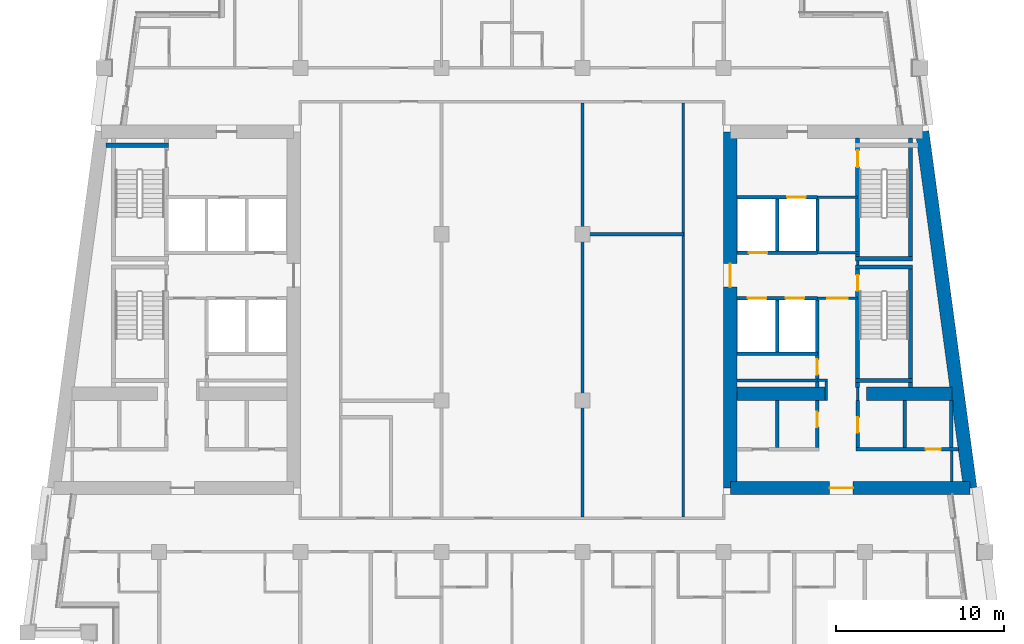
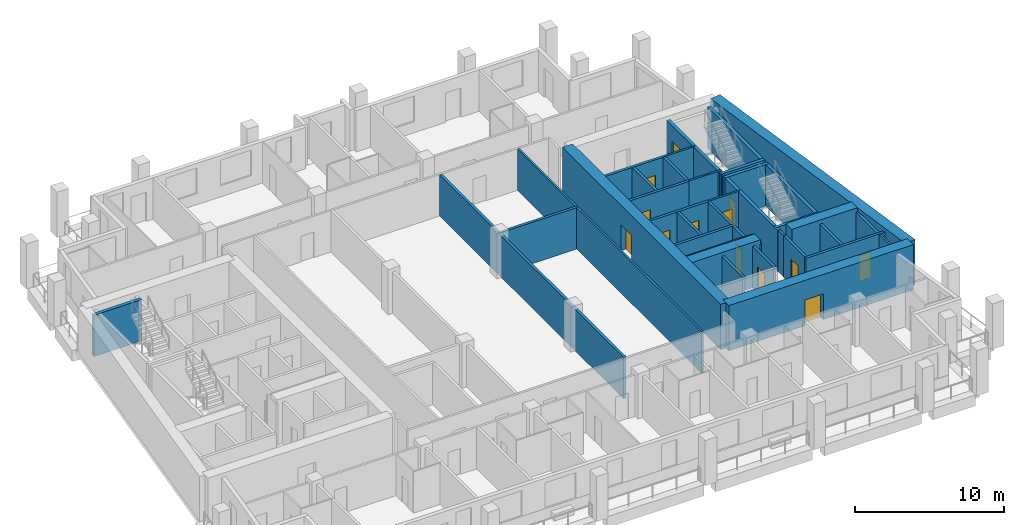
# One storey, part 5 of 12: 39 walls, 13 doors, 13 openings.
"""IFC4 building model written with IfcOpenShell, lengths in metres."""

from ifc_helpers import new_model, si_unit, direction, frame, frame_2d, origin, place, context, subcontext, project, spatial, rectangle, extrude, material, layer, layer_set, type_object, element, fill, save


model = new_model("IFC4")

# Units and contexts
model_context = context("Model", 3, precision=1e-05, world=origin(), true_north=direction((0.0, 1.0)))
body_context = subcontext(model_context, "Body", "Model", "MODEL_VIEW")
ifc_project = project(units=[si_unit("LENGTHUNIT", "METRE"), si_unit("AREAUNIT", "SQUARE_METRE"), si_unit("VOLUMEUNIT", "CUBIC_METRE"), si_unit("PLANEANGLEUNIT", "RADIAN"), si_unit("MASSUNIT", "GRAM", prefix="KILO")], contexts=[model_context])

# Site, building, storey
site_placement = place(None, origin())
site = spatial("IfcSite", under=ifc_project, at=site_placement, CompositionType="ELEMENT")
building_placement = place(site_placement, origin())
building = spatial("IfcBuilding", under=site, at=building_placement, Name="Candeia Pilgrim Tower and Theatre", CompositionType="ELEMENT")
storey_placement = place(building_placement, frame((0.0, 0.0, 228.10009765625)))
storey = spatial("IfcBuildingStorey", under=building, at=storey_placement, Name="L55", CompositionType="ELEMENT", Elevation=228.10009765625)

# Wall
ifc_material_1 = material(Name="Concrete C50/60", Category="concrete")
ifc_layer_1 = layer(ifc_material_1, 0.800048828125)
ifc_layer_set_1 = layer_set([ifc_layer_1], Name="Core wall 800 C50/60")
wall_type_1 = type_object("IfcWallType", Name="Core wall 800 C50/60", PredefinedType="SHEAR", material=ifc_layer_set_1)
wall_1_placement = place(storey_placement, frame((137.819580078125, 132.0, 0.0), z_axis=(0.0, 0.0, 1.0), x_axis=(0.133408347329, -0.991061154956, 0.0)))
element("IfcWall", 1, at=wall_1_placement, inside=storey, type_object=wall_type_1, Name="Core wall E2", PredefinedType="SHEAR", context=body_context, shape_type="SweptSolid", body=[
    extrude(rectangle(XDim=21.39111328125, YDim=0.800048828125, at=frame_2d((10.695556640625, 0.0))), origin(), (0.0, 0.0, 1.0), 3.699951171875),
])

# Wall, opening, door
wall_2_placement = place(storey_placement, frame((140.67333984375, 110.800048828125, 0.0), z_axis=(0.0, 0.0, 1.0), x_axis=(-1.0, 0.0, 0.0)))
wall_2 = element("IfcWall", 2, at=wall_2_placement, inside=storey, type_object=wall_type_1, Name="Core wall E3", PredefinedType="SHEAR", context=body_context, shape_type="SweptSolid", body=[
    extrude(rectangle(XDim=14.2734375, YDim=0.800048828125, at=frame_2d((7.13671875, 0.0))), origin(), (0.0, 0.0, 1.0), 3.699951171875),
])
opening_1_placement = place(wall_2_placement, frame((6.96533203125, 0.0, 0.0)))
opening_1 = element("IfcOpeningElement", 3, at=opening_1_placement, cuts=wall_2, Name="Opening L55-D057", PredefinedType="OPENING", context=body_context, shape_type="SweptSolid", body=[
    extrude(rectangle(XDim=1.39990234375, YDim=2.10009765625, at=frame_2d((0.699951171875, 1.050048828125))), frame((0.0, 0.41015625, 0.0), z_axis=(0.0, -1.0, 0.0), x_axis=(1.0, 0.0, 0.0)), (0.0, 0.0, 1.0), 0.820068359375),
])
ifc_material_2 = material(Name="Steel fire door set", Category="steel")
door_type_1 = type_object("IfcDoorType", Name="D-1400-FD60", OperationType="NOTDEFINED", PredefinedType="DOOR", material=ifc_material_2)
door_1_placement = place(opening_1_placement, origin())
door_1 = element("IfcDoor", 4, at=door_1_placement, inside=storey, type_object=door_type_1, Name="Door L55-D057", OperationType="SINGLE_SWING_RIGHT", OverallHeight=2.10009765625, OverallWidth=1.39990234375, PredefinedType="DOOR", context=body_context, shape_type="SweptSolid", body=[
    extrude(rectangle(XDim=1.39990234375, YDim=2.10009765625, at=frame_2d((0.699951171875, 1.050048828125))), frame((0.0, 0.02490234375, 0.0), z_axis=(0.0, -1.0, 0.0), x_axis=(1.0, 0.0, 0.0)), (0.0, 0.0, 1.0), 0.050048828125),
])
fill(opening_1, door_1)

wall_3_placement = place(storey_placement, frame((126.39990234375, 110.800048828125, 0.0), z_axis=(0.0, 0.0, 1.0), x_axis=(0.0, 1.0, 0.0)))
wall_3 = element("IfcWall", 5, at=wall_3_placement, inside=storey, type_object=wall_type_1, Name="Core wall E4", PredefinedType="SHEAR", context=body_context, shape_type="SweptSolid", body=[
    extrude(rectangle(XDim=21.199951171875, YDim=0.800048828125, at=frame_2d((10.60009765625, 0.0))), origin(), (0.0, 0.0, 1.0), 3.699951171875),
])
opening_2_placement = place(wall_3_placement, frame((11.949951171875, 0.0, 0.0)))
opening_2 = element("IfcOpeningElement", 6, at=opening_2_placement, cuts=wall_3, Name="Opening L55-D059", PredefinedType="OPENING", context=body_context, shape_type="SweptSolid", body=[
    extrude(rectangle(XDim=1.39990234375, YDim=2.10009765625, at=frame_2d((0.699951171875, 1.050048828125))), frame((0.0, 0.41015625, 0.0), z_axis=(0.0, -1.0, 0.0), x_axis=(1.0, 0.0, 0.0)), (0.0, 0.0, 1.0), 0.820068359375),
])
door_2_placement = place(opening_2_placement, origin())
door_2 = element("IfcDoor", 7, at=door_2_placement, inside=storey, type_object=door_type_1, Name="Door L55-D059", OperationType="SINGLE_SWING_RIGHT", OverallHeight=2.10009765625, OverallWidth=1.39990234375, PredefinedType="DOOR", context=body_context, shape_type="SweptSolid", body=[
    extrude(rectangle(XDim=1.39990234375, YDim=2.10009765625, at=frame_2d((0.699951171875, 1.050048828125))), frame((0.0, 0.02490234375, 0.0), z_axis=(0.0, -1.0, 0.0), x_axis=(1.0, 0.0, 0.0)), (0.0, 0.0, 1.0), 0.050048828125),
])
fill(opening_2, door_2)

# Walls
wall_4_placement = place(storey_placement, frame((126.800048828125, 116.39990234375, 0.0), z_axis=(0.0, 0.0, 1.0), x_axis=(1.0, 0.0, 0.0)))
element("IfcWall", 8, at=wall_4_placement, inside=storey, type_object=wall_type_1, Name="Core wall E5", PredefinedType="SHEAR", context=body_context, shape_type="SweptSolid", body=[
    extrude(rectangle(XDim=5.300048828125, YDim=0.800048828125, at=frame_2d((2.64990234375, 0.0))), origin(), (0.0, 0.0, 1.0), 3.699951171875),
])
wall_5_placement = place(storey_placement, frame((134.5, 116.39990234375, 0.0), z_axis=(0.0, 0.0, 1.0), x_axis=(1.0, 0.0, 0.0)))
element("IfcWall", 9, at=wall_5_placement, inside=storey, type_object=wall_type_1, Name="Core wall E6", PredefinedType="SHEAR", context=body_context, shape_type="SweptSolid", body=[
    extrude(rectangle(XDim=5.076904296875, YDim=0.800048828125, at=frame_2d((2.53857421875, 0.0))), origin(), (0.0, 0.0, 1.0), 3.699951171875),
])
ifc_material_3 = material(Name="Gypsum board partition on steel studs", Category="steel")
ifc_layer_2 = layer(ifc_material_3, 0.14990234375)
ifc_layer_set_2 = layer_set([ifc_layer_2], Name="PW-150 lobby wall")
wall_type_2 = type_object("IfcWallType", Name="PW-150 lobby wall", PredefinedType="PARTITIONING", material=ifc_layer_set_2)
wall_6_placement = place(storey_placement, frame((131.572998046875, 117.199951171875, 0.0), z_axis=(0.0, 0.0, 1.0), x_axis=(1.0, 0.0, 0.0)))
element("IfcWall", 10, at=wall_6_placement, inside=storey, type_object=wall_type_2, Name="Lobby wall L55-021", PredefinedType="PARTITIONING", context=body_context, shape_type="SweptSolid", body=[
    extrude(rectangle(XDim=0.60205078125, YDim=0.14990234375, at=frame_2d((0.301025390625, 0.0))), origin(), (0.0, 0.0, 1.0), 3.3798828125),
])

# Wall, opening, door
wall_7_placement = place(storey_placement, frame((131.572998046875, 122.10009765625, 0.0), z_axis=(0.0, 0.0, 1.0), x_axis=(1.0, 0.0, 0.0)))
wall_7 = element("IfcWall", 11, at=wall_7_placement, inside=storey, type_object=wall_type_2, Name="Lobby wall L55-029", PredefinedType="PARTITIONING", context=body_context, shape_type="SweptSolid", body=[
    extrude(rectangle(XDim=2.39990234375, YDim=0.14990234375, at=frame_2d((1.199951171875, 0.0))), origin(), (0.0, 0.0, 1.0), 3.3798828125),
])
opening_3_placement = place(wall_7_placement, frame((0.60009765625, 0.0, 0.0)))
opening_3 = element("IfcOpeningElement", 12, at=opening_3_placement, cuts=wall_7, Name="Opening L55-D009", PredefinedType="OPENING", context=body_context, shape_type="SweptSolid", body=[
    extrude(rectangle(XDim=1.199951171875, YDim=2.10009765625, at=frame_2d((0.60009765625, 1.050048828125))), frame((0.0, 0.0849609375, 0.0), z_axis=(0.0, -1.0, 0.0), x_axis=(1.0, 0.0, 0.0)), (0.0, 0.0, 1.0), 0.169921875),
])
door_type_2 = type_object("IfcDoorType", Name="D-1200-FD60", OperationType="NOTDEFINED", PredefinedType="DOOR", material=ifc_material_2)
door_3_placement = place(opening_3_placement, origin())
door_3 = element("IfcDoor", 13, at=door_3_placement, inside=storey, type_object=door_type_2, Name="Door L55-D009", OperationType="SINGLE_SWING_RIGHT", OverallHeight=2.10009765625, OverallWidth=1.199951171875, PredefinedType="DOOR", context=body_context, shape_type="SweptSolid", body=[
    extrude(rectangle(XDim=1.199951171875, YDim=2.10009765625, at=frame_2d((0.60009765625, 1.050048828125))), frame((0.0, 0.02490234375, 0.0), z_axis=(0.0, -1.0, 0.0), x_axis=(1.0, 0.0, 0.0)), (0.0, 0.0, 1.0), 0.050048828125),
])
fill(opening_3, door_3)

# Walls
wall_8_placement = place(storey_placement, frame((131.58203125, 124.800048828125, 0.0), z_axis=(0.0, 0.0, 1.0), x_axis=(1.0, 0.0, 0.0)))
element("IfcWall", 14, at=wall_8_placement, inside=storey, type_object=wall_type_2, Name="Lobby wall L55-036", PredefinedType="PARTITIONING", context=body_context, shape_type="SweptSolid", body=[
    extrude(rectangle(XDim=2.515869140625, YDim=0.14990234375, at=frame_2d((1.2578125, 0.0))), origin(), (0.0, 0.0, 1.0), 3.3798828125),
])
wall_9_placement = place(storey_placement, frame((131.58203125, 128.10009765625, 0.0), z_axis=(0.0, 0.0, 1.0), x_axis=(1.0, 0.0, 0.0)))
element("IfcWall", 15, at=wall_9_placement, inside=storey, type_object=wall_type_2, Name="Lobby wall L55-040", PredefinedType="PARTITIONING", context=body_context, shape_type="SweptSolid", body=[
    extrude(rectangle(XDim=2.390869140625, YDim=0.14990234375, at=frame_2d((1.1953125, 0.0))), origin(), (0.0, 0.0, 1.0), 3.3798828125),
])
wall_10_placement = place(storey_placement, frame((132.10009765625, 116.0, 0.0), z_axis=(0.0, 0.0, 1.0), x_axis=(0.0, 1.0, 0.0)))
element("IfcWall", 16, at=wall_10_placement, inside=storey, type_object=wall_type_2, Name="Lobby wall L55-107", PredefinedType="PARTITIONING", context=body_context, shape_type="SweptSolid", body=[
    extrude(rectangle(XDim=1.125, YDim=0.14990234375, at=frame_2d((0.5625, 0.0))), origin(), (0.0, 0.0, 1.0), 3.3798828125),
])
wall_11_placement = place(storey_placement, frame((133.972900390625, 116.0, 0.0), z_axis=(0.0, 0.0, 1.0), x_axis=(0.0, 1.0, 0.0)))
element("IfcWall", 17, at=wall_11_placement, inside=storey, type_object=wall_type_2, Name="Lobby wall L55-110", PredefinedType="PARTITIONING", context=body_context, shape_type="SweptSolid", body=[
    extrude(rectangle(XDim=0.77001953125, YDim=0.14990234375, at=frame_2d((0.385009765625, 0.0))), origin(), (0.0, 0.0, 1.0), 3.3798828125),
])
wall_12_placement = place(storey_placement, frame((133.972900390625, 124.074951171875, 0.0), z_axis=(0.0, 0.0, 1.0), x_axis=(0.0, 1.0, 0.0)))
element("IfcWall", 18, at=wall_12_placement, inside=storey, type_object=wall_type_2, Name="Lobby wall L55-111", PredefinedType="PARTITIONING", context=body_context, shape_type="SweptSolid", body=[
    extrude(rectangle(XDim=0.25, YDim=0.14990234375, at=frame_2d((0.125, 0.0))), origin(), (0.0, 0.0, 1.0), 3.3798828125),
])
wall_13_placement = place(storey_placement, frame((139.572998046875, 111.199951171875, 0.0), z_axis=(0.0, 0.0, 1.0), x_axis=(0.0, 1.0, 0.0)))
element("IfcWall", 19, at=wall_13_placement, inside=storey, type_object=wall_type_2, Name="Lobby wall L55-120", PredefinedType="PARTITIONING", context=body_context, shape_type="SweptSolid", body=[
    extrude(rectangle(XDim=1.800048828125, YDim=0.14990234375, at=frame_2d((0.89990234375, 0.0))), origin(), (0.0, 0.0, 1.0), 3.3798828125),
])
ifc_layer_3 = layer(ifc_material_3, 0.14990234375)
ifc_layer_set_3 = layer_set([ifc_layer_3], Name="PW-150 unit wall")
wall_type_3 = type_object("IfcWallType", Name="PW-150 unit wall", PredefinedType="PARTITIONING", material=ifc_layer_set_3)
wall_14_placement = place(storey_placement, frame((123.60009765625, 109.074951171875, 0.0), z_axis=(0.0, 0.0, 1.0), x_axis=(0.0, 1.0, 0.0)))
element("IfcWall", 20, at=wall_14_placement, inside=storey, type_object=wall_type_3, Name="Unit wall L55-093", PredefinedType="PARTITIONING", context=body_context, shape_type="SweptSolid", body=[
    extrude(rectangle(XDim=24.650146484375, YDim=0.14990234375, at=frame_2d((12.3251953125, 0.0))), origin(), (0.0, 0.0, 1.0), 3.3798828125),
])
ifc_layer_4 = layer(ifc_material_3, 0.199951171875)
ifc_layer_set_4 = layer_set([ifc_layer_4], Name="PW-200 party wall")
wall_type_4 = type_object("IfcWallType", Name="PW-200 party wall", PredefinedType="PARTITIONING", material=ifc_layer_set_4)
wall_15_placement = place(storey_placement, frame((117.60009765625, 125.89990234375, 0.0), z_axis=(0.0, 0.0, 1.0), x_axis=(1.0, 0.0, 0.0)))
element("IfcWall", 21, at=wall_15_placement, inside=storey, type_object=wall_type_4, Name="Party wall L55-037", PredefinedType="PARTITIONING", context=body_context, shape_type="SweptSolid", body=[
    extrude(rectangle(XDim=6.0, YDim=0.199951171875, at=frame_2d((3.0, 0.0))), origin(), (0.0, 0.0, 1.0), 3.3798828125),
])
wall_16_placement = place(storey_placement, frame((117.60009765625, 109.074951171875, 0.0), z_axis=(0.0, 0.0, 1.0), x_axis=(0.0, 1.0, 0.0)))
element("IfcWall", 22, at=wall_16_placement, inside=storey, type_object=wall_type_4, Name="Party wall L55-088", PredefinedType="PARTITIONING", context=body_context, shape_type="SweptSolid", body=[
    extrude(rectangle(XDim=24.650146484375, YDim=0.199951171875, at=frame_2d((12.3251953125, 0.0))), origin(), (0.0, 0.0, 1.0), 3.3798828125),
])

# Wall, opening, door
ifc_material_4 = material(Name="Concrete C40/50", Category="concrete")
ifc_layer_5 = layer(ifc_material_4, 0.199951171875)
ifc_layer_set_5 = layer_set([ifc_layer_5], Name="SW-200 shaft wall")
wall_type_5 = type_object("IfcWallType", Name="SW-200 shaft wall", PredefinedType="PARTITIONING", material=ifc_layer_set_5)
wall_17_placement = place(storey_placement, frame((133.873046875, 113.10009765625, 0.0), z_axis=(0.0, 0.0, 1.0), x_axis=(1.0, 0.0, 0.0)))
wall_17 = element("IfcWall", 23, at=wall_17_placement, inside=storey, type_object=wall_type_5, Name="Shaft wall L55-015", PredefinedType="PARTITIONING", context=body_context, shape_type="SweptSolid", body=[
    extrude(rectangle(XDim=6.116943359375, YDim=0.199951171875, at=frame_2d((3.05859375, 0.0))), origin(), (0.0, 0.0, 1.0), 3.3798828125),
])
opening_4_placement = place(wall_17_placement, frame((4.14990234375, 0.0, 0.0)))
opening_4 = element("IfcOpeningElement", 24, at=opening_4_placement, cuts=wall_17, Name="Opening L55-D013", PredefinedType="OPENING", context=body_context, shape_type="SweptSolid", body=[
    extrude(rectangle(XDim=0.89990234375, YDim=2.10009765625, at=frame_2d((0.449951171875, 1.050048828125))), frame((0.0, 0.10986328125, 0.0), z_axis=(0.0, -1.0, 0.0), x_axis=(1.0, 0.0, 0.0)), (0.0, 0.0, 1.0), 0.219970703125),
])
door_type_3 = type_object("IfcDoorType", Name="D-900-FD60", OperationType="NOTDEFINED", PredefinedType="DOOR", material=ifc_material_2)
door_4_placement = place(opening_4_placement, origin())
door_4 = element("IfcDoor", 25, at=door_4_placement, inside=storey, type_object=door_type_3, Name="Door L55-D013", OperationType="SINGLE_SWING_RIGHT", OverallHeight=2.10009765625, OverallWidth=0.89990234375, PredefinedType="DOOR", context=body_context, shape_type="SweptSolid", body=[
    extrude(rectangle(XDim=0.89990234375, YDim=2.10009765625, at=frame_2d((0.449951171875, 1.050048828125))), frame((0.0, 0.02490234375, 0.0), z_axis=(0.0, -1.0, 0.0), x_axis=(1.0, 0.0, 0.0)), (0.0, 0.0, 1.0), 0.050048828125),
])
fill(opening_4, door_4)

# Walls
for number, where, z_axis, x_axis, name in (
    (26, (126.800048828125, 117.199951171875, 0.0), (0.0, 0.0, 1.0), (1.0, 0.0, 0.0), "Shaft wall L55-019"),
    (27, (126.800048828125, 118.800048828125, 0.0), (0.0, 0.0, 1.0), (1.0, 0.0, 0.0), "Shaft wall L55-025"),
):
    element("IfcWall", number, at=place(storey_placement, frame(where, z_axis=z_axis, x_axis=x_axis)), inside=storey, type_object=wall_type_5, Name=name, PredefinedType="PARTITIONING", context=body_context, shape_type="SweptSolid", body=[
        extrude(rectangle(XDim=4.77294921875, YDim=0.199951171875, at=frame_2d((2.386474609375, 0.0))), origin(), (0.0, 0.0, 1.0), 3.3798828125),
    ])

# Wall, openings, doors
wall_18_placement = place(storey_placement, frame((126.800048828125, 122.10009765625, 0.0), z_axis=(0.0, 0.0, 1.0), x_axis=(1.0, 0.0, 0.0)))
wall_18 = element("IfcWall", 28, at=wall_18_placement, inside=storey, type_object=wall_type_5, Name="Shaft wall L55-027", PredefinedType="PARTITIONING", context=body_context, shape_type="SweptSolid", body=[
    extrude(rectangle(XDim=4.77294921875, YDim=0.199951171875, at=frame_2d((2.386474609375, 0.0))), origin(), (0.0, 0.0, 1.0), 3.3798828125),
])
opening_5_placement = place(wall_18_placement, frame((2.883056640625, 0.0, 0.0)))
opening_5 = element("IfcOpeningElement", 29, at=opening_5_placement, cuts=wall_18, Name="Opening L55-LD05", PredefinedType="OPENING", context=body_context, shape_type="SweptSolid", body=[
    extrude(rectangle(XDim=1.10009765625, YDim=2.10009765625, at=frame_2d((0.550048828125, 1.050048828125))), frame((0.0, 0.10986328125, 0.0), z_axis=(0.0, -1.0, 0.0), x_axis=(1.0, 0.0, 0.0)), (0.0, 0.0, 1.0), 0.219970703125),
])
opening_6_placement = place(wall_18_placement, frame((0.64306640625, 0.0, 0.0)))
opening_6 = element("IfcOpeningElement", 30, at=opening_6_placement, cuts=wall_18, Name="Opening L55-LD06", PredefinedType="OPENING", context=body_context, shape_type="SweptSolid", body=[
    extrude(rectangle(XDim=1.10009765625, YDim=2.10009765625, at=frame_2d((0.550048828125, 1.050048828125))), frame((0.0, 0.10986328125, 0.0), z_axis=(0.0, -1.0, 0.0), x_axis=(1.0, 0.0, 0.0)), (0.0, 0.0, 1.0), 0.219970703125),
])
ifc_material_5 = material(Name="Glazed aluminium landing door", Category="aluminium")
door_type_4 = type_object("IfcDoorType", Name="LD-1100-EI120", OperationType="SLIDING_TO_LEFT", PredefinedType="DOOR", material=ifc_material_5)
door_5_placement = place(opening_5_placement, origin())
door_5 = element("IfcDoor", 31, at=door_5_placement, inside=storey, type_object=door_type_4, Name="Landing door 05 L55", OperationType="SLIDING_TO_LEFT", OverallHeight=2.10009765625, OverallWidth=1.10009765625, PredefinedType="DOOR", context=body_context, shape_type="SweptSolid", body=[
    extrude(rectangle(XDim=1.10009765625, YDim=2.10009765625, at=frame_2d((0.550048828125, 1.050048828125))), frame((0.0, 0.02490234375, 0.0), z_axis=(0.0, -1.0, 0.0), x_axis=(1.0, 0.0, 0.0)), (0.0, 0.0, 1.0), 0.050048828125),
])
fill(opening_5, door_5)
door_6_placement = place(opening_6_placement, origin())
door_6 = element("IfcDoor", 32, at=door_6_placement, inside=storey, type_object=door_type_4, Name="Landing door 06 L55", OperationType="SLIDING_TO_LEFT", OverallHeight=2.10009765625, OverallWidth=1.10009765625, PredefinedType="DOOR", context=body_context, shape_type="SweptSolid", body=[
    extrude(rectangle(XDim=1.10009765625, YDim=2.10009765625, at=frame_2d((0.550048828125, 1.050048828125))), frame((0.0, 0.02490234375, 0.0), z_axis=(0.0, -1.0, 0.0), x_axis=(1.0, 0.0, 0.0)), (0.0, 0.0, 1.0), 0.050048828125),
])
fill(opening_6, door_6)

# Wall, opening, door
wall_19_placement = place(storey_placement, frame((126.800048828125, 124.800048828125, 0.0), z_axis=(0.0, 0.0, 1.0), x_axis=(1.0, 0.0, 0.0)))
wall_19 = element("IfcWall", 33, at=wall_19_placement, inside=storey, type_object=wall_type_5, Name="Shaft wall L55-035", PredefinedType="PARTITIONING", context=body_context, shape_type="SweptSolid", body=[
    extrude(rectangle(XDim=4.781982421875, YDim=0.199951171875, at=frame_2d((2.39111328125, 0.0))), origin(), (0.0, 0.0, 1.0), 3.3798828125),
])
opening_7_placement = place(wall_19_placement, frame((0.705078125, 0.0, 0.0)))
opening_7 = element("IfcOpeningElement", 34, at=opening_7_placement, cuts=wall_19, Name="Opening L55-LD08", PredefinedType="OPENING", context=body_context, shape_type="SweptSolid", body=[
    extrude(rectangle(XDim=1.10009765625, YDim=2.10009765625, at=frame_2d((0.550048828125, 1.050048828125))), frame((0.0, 0.10986328125, 0.0), z_axis=(0.0, -1.0, 0.0), x_axis=(1.0, 0.0, 0.0)), (0.0, 0.0, 1.0), 0.219970703125),
])
door_7_placement = place(opening_7_placement, origin())
door_7 = element("IfcDoor", 35, at=door_7_placement, inside=storey, type_object=door_type_4, Name="Landing door 08 L55", OperationType="SLIDING_TO_LEFT", OverallHeight=2.10009765625, OverallWidth=1.10009765625, PredefinedType="DOOR", context=body_context, shape_type="SweptSolid", body=[
    extrude(rectangle(XDim=1.10009765625, YDim=2.10009765625, at=frame_2d((0.550048828125, 1.050048828125))), frame((0.0, 0.02490234375, 0.0), z_axis=(0.0, -1.0, 0.0), x_axis=(1.0, 0.0, 0.0)), (0.0, 0.0, 1.0), 0.050048828125),
])
fill(opening_7, door_7)

wall_20_placement = place(storey_placement, frame((126.800048828125, 128.10009765625, 0.0), z_axis=(0.0, 0.0, 1.0), x_axis=(1.0, 0.0, 0.0)))
wall_20 = element("IfcWall", 36, at=wall_20_placement, inside=storey, type_object=wall_type_5, Name="Shaft wall L55-039", PredefinedType="PARTITIONING", context=body_context, shape_type="SweptSolid", body=[
    extrude(rectangle(XDim=4.781982421875, YDim=0.199951171875, at=frame_2d((2.39111328125, 0.0))), origin(), (0.0, 0.0, 1.0), 3.3798828125),
])
opening_8_placement = place(wall_20_placement, frame((2.97705078125, 0.0, 0.0)))
opening_8 = element("IfcOpeningElement", 37, at=opening_8_placement, cuts=wall_20, Name="Opening L55-LD07", PredefinedType="OPENING", context=body_context, shape_type="SweptSolid", body=[
    extrude(rectangle(XDim=1.10009765625, YDim=2.10009765625, at=frame_2d((0.550048828125, 1.050048828125))), frame((0.0, 0.10986328125, 0.0), z_axis=(0.0, -1.0, 0.0), x_axis=(1.0, 0.0, 0.0)), (0.0, 0.0, 1.0), 0.219970703125),
])
door_8_placement = place(opening_8_placement, origin())
door_8 = element("IfcDoor", 38, at=door_8_placement, inside=storey, type_object=door_type_4, Name="Landing door 07 L55", OperationType="SLIDING_TO_LEFT", OverallHeight=2.10009765625, OverallWidth=1.10009765625, PredefinedType="DOOR", context=body_context, shape_type="SweptSolid", body=[
    extrude(rectangle(XDim=1.10009765625, YDim=2.10009765625, at=frame_2d((0.550048828125, 1.050048828125))), frame((0.0, 0.02490234375, 0.0), z_axis=(0.0, -1.0, 0.0), x_axis=(1.0, 0.0, 0.0)), (0.0, 0.0, 1.0), 0.050048828125),
])
fill(opening_8, door_8)

# Walls
wall_21_placement = place(storey_placement, frame((129.1865234375, 113.199951171875, 0.0), z_axis=(0.0, 0.0, 1.0), x_axis=(0.0, 1.0, 0.0)))
element("IfcWall", 39, at=wall_21_placement, inside=storey, type_object=wall_type_5, Name="Shaft wall L55-100", PredefinedType="PARTITIONING", context=body_context, shape_type="SweptSolid", body=[
    extrude(rectangle(XDim=2.800048828125, YDim=0.199951171875, at=frame_2d((1.39990234375, 0.0))), origin(), (0.0, 0.0, 1.0), 3.3798828125),
])
for number, where, z_axis, x_axis, name in (
    (40, (129.1865234375, 118.89990234375, 0.0), (0.0, 0.0, 1.0), (0.0, 1.0, 0.0), "Shaft wall L55-101"),
    (41, (129.19091796875, 124.89990234375, 0.0), (0.0, 0.0, 1.0), (0.0, 1.0, 0.0), "Shaft wall L55-102"),
):
    element("IfcWall", number, at=place(storey_placement, frame(where, z_axis=z_axis, x_axis=x_axis)), inside=storey, type_object=wall_type_5, Name=name, PredefinedType="PARTITIONING", context=body_context, shape_type="SweptSolid", body=[
        extrude(rectangle(XDim=3.10009765625, YDim=0.199951171875, at=frame_2d((1.550048828125, 0.0))), origin(), (0.0, 0.0, 1.0), 3.3798828125),
    ])

# Wall, opening, door
wall_22_placement = place(storey_placement, frame((131.572998046875, 113.199951171875, 0.0), z_axis=(0.0, 0.0, 1.0), x_axis=(0.0, 1.0, 0.0)))
wall_22 = element("IfcWall", 42, at=wall_22_placement, inside=storey, type_object=wall_type_5, Name="Shaft wall L55-104", PredefinedType="PARTITIONING", context=body_context, shape_type="SweptSolid", body=[
    extrude(rectangle(XDim=2.800048828125, YDim=0.199951171875, at=frame_2d((1.39990234375, 0.0))), origin(), (0.0, 0.0, 1.0), 3.3798828125),
])
opening_9_placement = place(wall_22_placement, frame((1.22509765625, 0.0, 0.0)))
opening_9 = element("IfcOpeningElement", 43, at=opening_9_placement, cuts=wall_22, Name="Opening L55-D015", PredefinedType="OPENING", context=body_context, shape_type="SweptSolid", body=[
    extrude(rectangle(XDim=0.89990234375, YDim=2.10009765625, at=frame_2d((0.449951171875, 1.050048828125))), frame((0.0, 0.10986328125, 0.0), z_axis=(0.0, -1.0, 0.0), x_axis=(1.0, 0.0, 0.0)), (0.0, 0.0, 1.0), 0.219970703125),
])
door_9_placement = place(opening_9_placement, origin())
door_9 = element("IfcDoor", 44, at=door_9_placement, inside=storey, type_object=door_type_3, Name="Door L55-D015", OperationType="SINGLE_SWING_RIGHT", OverallHeight=2.10009765625, OverallWidth=0.89990234375, PredefinedType="DOOR", context=body_context, shape_type="SweptSolid", body=[
    extrude(rectangle(XDim=0.89990234375, YDim=2.10009765625, at=frame_2d((0.449951171875, 1.050048828125))), frame((0.0, 0.02490234375, 0.0), z_axis=(0.0, -1.0, 0.0), x_axis=(1.0, 0.0, 0.0)), (0.0, 0.0, 1.0), 0.050048828125),
])
fill(opening_9, door_9)

wall_23_placement = place(storey_placement, frame((131.572998046875, 116.77001953125, 0.0), z_axis=(0.0, 0.0, 1.0), x_axis=(0.0, 1.0, 0.0)))
wall_23 = element("IfcWall", 45, at=wall_23_placement, inside=storey, type_object=wall_type_5, Name="Shaft wall L55-105", PredefinedType="PARTITIONING", context=body_context, shape_type="SweptSolid", body=[
    extrude(rectangle(XDim=5.22998046875, YDim=0.199951171875, at=frame_2d((2.614990234375, 0.0))), origin(), (0.0, 0.0, 1.0), 3.3798828125),
])
opening_10_placement = place(wall_23_placement, frame((0.780029296875, 0.0, 0.0)))
opening_10 = element("IfcOpeningElement", 46, at=opening_10_placement, cuts=wall_23, Name="Opening L55-D012", PredefinedType="OPENING", context=body_context, shape_type="SweptSolid", body=[
    extrude(rectangle(XDim=0.89990234375, YDim=2.10009765625, at=frame_2d((0.449951171875, 1.050048828125))), frame((0.0, 0.10986328125, 0.0), z_axis=(0.0, -1.0, 0.0), x_axis=(1.0, 0.0, 0.0)), (0.0, 0.0, 1.0), 0.219970703125),
])
door_10_placement = place(opening_10_placement, origin())
door_10 = element("IfcDoor", 47, at=door_10_placement, inside=storey, type_object=door_type_3, Name="Door L55-D012", OperationType="SINGLE_SWING_LEFT", OverallHeight=2.10009765625, OverallWidth=0.89990234375, PredefinedType="DOOR", context=body_context, shape_type="SweptSolid", body=[
    extrude(rectangle(XDim=0.89990234375, YDim=2.10009765625, at=frame_2d((0.449951171875, 1.050048828125))), frame((0.0, 0.02490234375, 0.0), z_axis=(0.0, -1.0, 0.0), x_axis=(1.0, 0.0, 0.0)), (0.0, 0.0, 1.0), 0.050048828125),
])
fill(opening_10, door_10)

# Wall
wall_24_placement = place(storey_placement, frame((131.58203125, 124.89990234375, 0.0), z_axis=(0.0, 0.0, 1.0), x_axis=(0.0, 1.0, 0.0)))
element("IfcWall", 48, at=wall_24_placement, inside=storey, type_object=wall_type_5, Name="Shaft wall L55-106", PredefinedType="PARTITIONING", context=body_context, shape_type="SweptSolid", body=[
    extrude(rectangle(XDim=3.10009765625, YDim=0.199951171875, at=frame_2d((1.550048828125, 0.0))), origin(), (0.0, 0.0, 1.0), 3.3798828125),
])

# Wall, opening, door
wall_25_placement = place(storey_placement, frame((133.972900390625, 113.199951171875, 0.0), z_axis=(0.0, 0.0, 1.0), x_axis=(0.0, 1.0, 0.0)))
wall_25 = element("IfcWall", 49, at=wall_25_placement, inside=storey, type_object=wall_type_5, Name="Shaft wall L55-109", PredefinedType="PARTITIONING", context=body_context, shape_type="SweptSolid", body=[
    extrude(rectangle(XDim=2.800048828125, YDim=0.199951171875, at=frame_2d((1.39990234375, 0.0))), origin(), (0.0, 0.0, 1.0), 3.3798828125),
])
opening_11_placement = place(wall_25_placement, frame((0.89990234375, 0.0, 0.0)))
opening_11 = element("IfcOpeningElement", 50, at=opening_11_placement, cuts=wall_25, Name="Opening L55-D014", PredefinedType="OPENING", context=body_context, shape_type="SweptSolid", body=[
    extrude(rectangle(XDim=0.89990234375, YDim=2.10009765625, at=frame_2d((0.449951171875, 1.050048828125))), frame((0.0, 0.10986328125, 0.0), z_axis=(0.0, -1.0, 0.0), x_axis=(1.0, 0.0, 0.0)), (0.0, 0.0, 1.0), 0.219970703125),
])
door_11_placement = place(opening_11_placement, origin())
door_11 = element("IfcDoor", 51, at=door_11_placement, inside=storey, type_object=door_type_3, Name="Door L55-D014", OperationType="SINGLE_SWING_LEFT", OverallHeight=2.10009765625, OverallWidth=0.89990234375, PredefinedType="DOOR", context=body_context, shape_type="SweptSolid", body=[
    extrude(rectangle(XDim=0.89990234375, YDim=2.10009765625, at=frame_2d((0.449951171875, 1.050048828125))), frame((0.0, 0.02490234375, 0.0), z_axis=(0.0, -1.0, 0.0), x_axis=(1.0, 0.0, 0.0)), (0.0, 0.0, 1.0), 0.050048828125),
])
fill(opening_11, door_11)

# Walls
for number, where, z_axis, x_axis, name in (
    (52, (136.77294921875, 113.199951171875, 0.0), (0.0, 0.0, 1.0), (0.0, 1.0, 0.0), "Shaft wall L55-115"),
    (53, (139.550537109375, 113.199951171875, 0.0), (0.0, 0.0, 1.0), (0.0, 1.0, 0.0), "Shaft wall L55-119"),
):
    element("IfcWall", number, at=place(storey_placement, frame(where, z_axis=z_axis, x_axis=x_axis)), inside=storey, type_object=wall_type_5, Name=name, PredefinedType="PARTITIONING", context=body_context, shape_type="SweptSolid", body=[
        extrude(rectangle(XDim=2.800048828125, YDim=0.199951171875, at=frame_2d((1.39990234375, 0.0))), origin(), (0.0, 0.0, 1.0), 3.3798828125),
    ])
ifc_layer_6 = layer(ifc_material_4, 0.25)
ifc_layer_set_6 = layer_set([ifc_layer_6], Name="SW-250 stair wall")
wall_type_6 = type_object("IfcWallType", Name="SW-250 stair wall", PredefinedType="PARTITIONING", material=ifc_layer_set_6)
for number, where, z_axis, x_axis, name in (
    (54, (133.847900390625, 117.199951171875, 0.0), (0.0, 0.0, 1.0), (1.0, 0.0, 0.0), "Stair wall L55-023"),
    (55, (133.847900390625, 123.949951171875, 0.0), (0.0, 0.0, 1.0), (1.0, 0.0, 0.0), "Stair wall L55-031"),
    (56, (133.847900390625, 124.449951171875, 0.0), (0.0, 0.0, 1.0), (1.0, 0.0, 0.0), "Stair wall L55-033"),
):
    element("IfcWall", number, at=place(storey_placement, frame(where, z_axis=z_axis, x_axis=x_axis)), inside=storey, type_object=wall_type_6, Name=name, PredefinedType="PARTITIONING", context=body_context, shape_type="SweptSolid", body=[
        extrude(rectangle(XDim=3.400146484375, YDim=0.25, at=frame_2d((1.7001953125, 0.0))), origin(), (0.0, 0.0, 1.0), 3.3798828125),
    ])
wall_26_placement = place(storey_placement, frame((89.246337890625, 131.199951171875, 0.0), z_axis=(0.0, 0.0, 1.0), x_axis=(1.0, 0.0, 0.0)))
element("IfcWall", 57, at=wall_26_placement, inside=storey, type_object=wall_type_6, Name="Stair wall L55-041", PredefinedType="PARTITIONING", context=body_context, shape_type="SweptSolid", body=[
    extrude(rectangle(XDim=3.70556640625, YDim=0.25, at=frame_2d((1.852783203125, 0.0))), origin(), (0.0, 0.0, 1.0), 3.3798828125),
])

# Wall, opening, door
wall_27_placement = place(storey_placement, frame((133.972900390625, 116.77001953125, 0.0), z_axis=(0.0, 0.0, 1.0), x_axis=(0.0, 1.0, 0.0)))
wall_27 = element("IfcWall", 58, at=wall_27_placement, inside=storey, type_object=wall_type_6, Name="Stair wall L55-112", PredefinedType="PARTITIONING", context=body_context, shape_type="SweptSolid", body=[
    extrude(rectangle(XDim=7.054931640625, YDim=0.25, at=frame_2d((3.52734375, 0.0))), origin(), (0.0, 0.0, 1.0), 3.3798828125),
])
opening_12_placement = place(wall_27_placement, frame((5.7548828125, 0.0, 0.0)))
opening_12 = element("IfcOpeningElement", 59, at=opening_12_placement, cuts=wall_27, Name="Opening L55-D010", PredefinedType="OPENING", context=body_context, shape_type="SweptSolid", body=[
    extrude(rectangle(XDim=0.949951171875, YDim=2.10009765625, at=frame_2d((0.47509765625, 1.050048828125))), frame((0.0, 0.135009765625, 0.0), z_axis=(0.0, -1.0, 0.0), x_axis=(1.0, 0.0, 0.0)), (0.0, 0.0, 1.0), 0.27001953125),
])
door_type_5 = type_object("IfcDoorType", Name="D-950-FD60", OperationType="NOTDEFINED", PredefinedType="DOOR", material=ifc_material_2)
door_12_placement = place(opening_12_placement, origin())
door_12 = element("IfcDoor", 60, at=door_12_placement, inside=storey, type_object=door_type_5, Name="Door L55-D010", OperationType="SINGLE_SWING_LEFT", OverallHeight=2.10009765625, OverallWidth=0.949951171875, PredefinedType="DOOR", context=body_context, shape_type="SweptSolid", body=[
    extrude(rectangle(XDim=0.949951171875, YDim=2.10009765625, at=frame_2d((0.47509765625, 1.050048828125))), frame((0.0, 0.02490234375, 0.0), z_axis=(0.0, -1.0, 0.0), x_axis=(1.0, 0.0, 0.0)), (0.0, 0.0, 1.0), 0.050048828125),
])
fill(opening_12, door_12)

wall_28_placement = place(storey_placement, frame((133.972900390625, 124.574951171875, 0.0), z_axis=(0.0, 0.0, 1.0), x_axis=(0.0, 1.0, 0.0)))
wall_28 = element("IfcWall", 61, at=wall_28_placement, inside=storey, type_object=wall_type_6, Name="Stair wall L55-113", PredefinedType="PARTITIONING", context=body_context, shape_type="SweptSolid", body=[
    extrude(rectangle(XDim=7.054931640625, YDim=0.25, at=frame_2d((3.52734375, 0.0))), origin(), (0.0, 0.0, 1.0), 3.3798828125),
])
opening_13_placement = place(wall_28_placement, frame((5.324951171875, 0.0, 0.0)))
opening_13 = element("IfcOpeningElement", 62, at=opening_13_placement, cuts=wall_28, Name="Opening L55-D011", PredefinedType="OPENING", context=body_context, shape_type="SweptSolid", body=[
    extrude(rectangle(XDim=1.0, YDim=2.10009765625, at=frame_2d((0.5, 1.050048828125))), frame((0.0, 0.135009765625, 0.0), z_axis=(0.0, -1.0, 0.0), x_axis=(1.0, 0.0, 0.0)), (0.0, 0.0, 1.0), 0.27001953125),
])
door_type_6 = type_object("IfcDoorType", Name="D-1000-FD60", OperationType="NOTDEFINED", PredefinedType="DOOR", material=ifc_material_2)
door_13_placement = place(opening_13_placement, origin())
door_13 = element("IfcDoor", 63, at=door_13_placement, inside=storey, type_object=door_type_6, Name="Door L55-D011", OperationType="SINGLE_SWING_RIGHT", OverallHeight=2.10009765625, OverallWidth=1.0, PredefinedType="DOOR", context=body_context, shape_type="SweptSolid", body=[
    extrude(rectangle(XDim=1.0, YDim=2.10009765625, at=frame_2d((0.5, 1.050048828125))), frame((0.0, 0.02490234375, 0.0), z_axis=(0.0, -1.0, 0.0), x_axis=(1.0, 0.0, 0.0)), (0.0, 0.0, 1.0), 0.050048828125),
])
fill(opening_13, door_13)

# Walls
for number, where, z_axis, x_axis, name in (
    (64, (137.123046875, 116.77001953125, 0.0), (0.0, 0.0, 1.0), (0.0, 1.0, 0.0), "Stair wall L55-116"),
    (65, (137.123046875, 124.574951171875, 0.0), (0.0, 0.0, 1.0), (0.0, 1.0, 0.0), "Stair wall L55-117"),
):
    element("IfcWall", number, at=place(storey_placement, frame(where, z_axis=z_axis, x_axis=x_axis)), inside=storey, type_object=wall_type_6, Name=name, PredefinedType="PARTITIONING", context=body_context, shape_type="SweptSolid", body=[
        extrude(rectangle(XDim=7.054931640625, YDim=0.25, at=frame_2d((3.52734375, 0.0))), origin(), (0.0, 0.0, 1.0), 3.3798828125),
    ])

save(model, "model.ifc")
